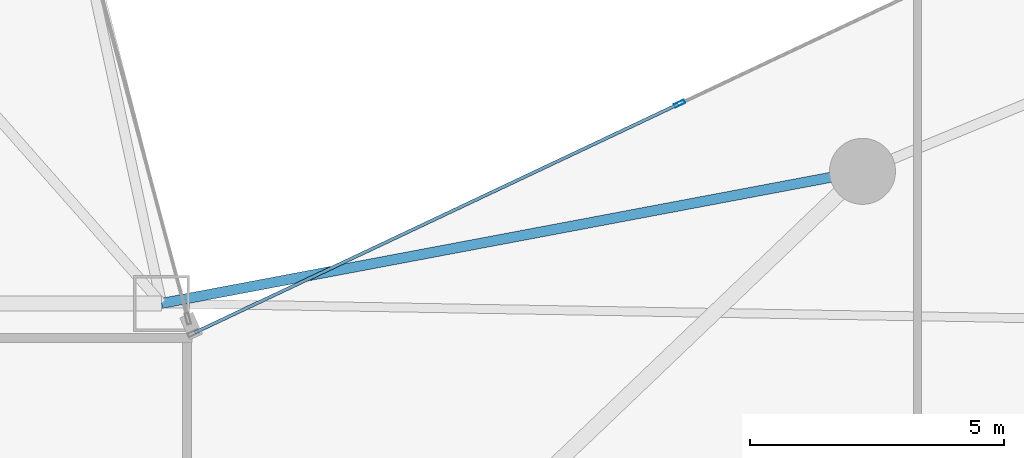
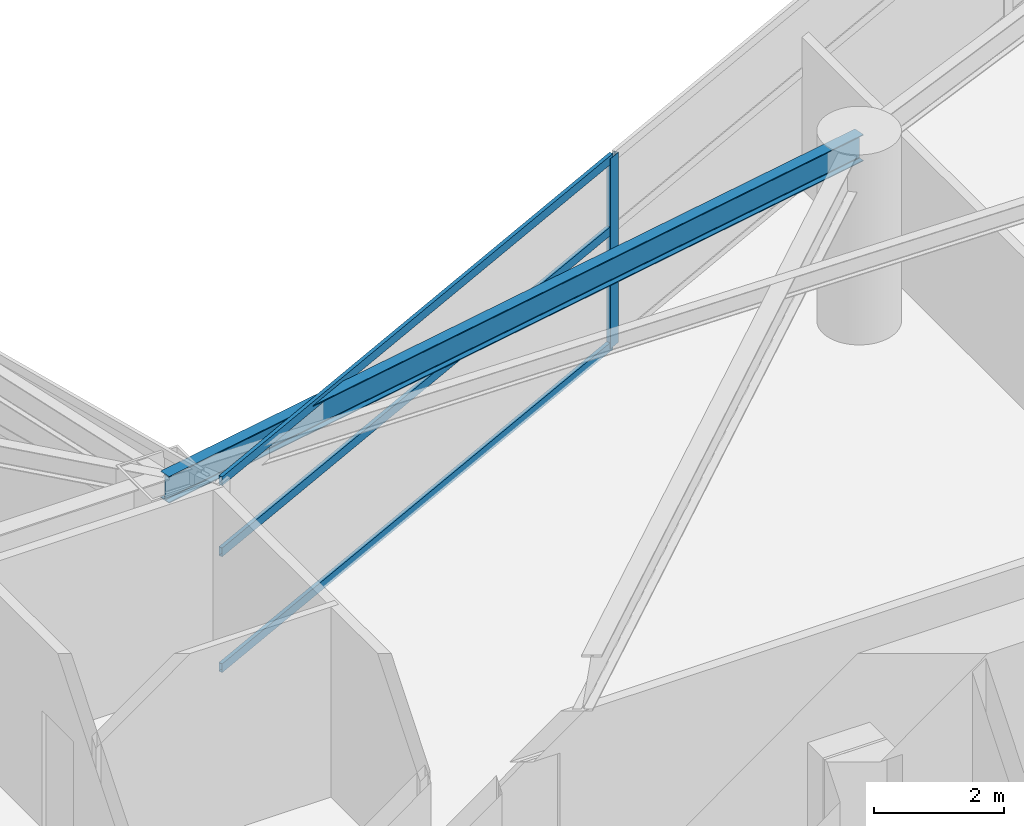
# One storey, part 11 of 30: 4 members, 1 beam, 1 element without a shape of its own.
"""IFC4 building model written with IfcOpenShell, lengths in metres."""

from ifc_helpers import new_model, si_unit, direction, frame, origin, origin_2d, place, context, subcontext, project, spatial, hollow_rectangle, i_section, extrude, material, layer, layer_set, material_profile, profile_set, type_object, element, aggregate, save


model = new_model("IFC4")

# Units and contexts
model_context = context("Model", 3, precision=1e-05, world=origin(), true_north=direction((0.0, 1.0)))
body_context = subcontext(model_context, "Body", "Model", "MODEL_VIEW")
ifc_project = project(units=[si_unit("LENGTHUNIT", "METRE"), si_unit("AREAUNIT", "SQUARE_METRE"), si_unit("VOLUMEUNIT", "CUBIC_METRE"), si_unit("PLANEANGLEUNIT", "RADIAN"), si_unit("MASSUNIT", "GRAM", prefix="KILO")], contexts=[model_context])

# Site, building, storey
site_placement = place(None, origin())
site = spatial("IfcSite", under=ifc_project, at=site_placement, CompositionType="ELEMENT")
building_placement = place(site_placement, origin())
building = spatial("IfcBuilding", under=site, at=building_placement, Name="Calvorn Quay Hotel", CompositionType="ELEMENT")
storey_placement = place(building_placement, frame((0.0, 0.0, 27.0)))
storey = spatial("IfcBuildingStorey", under=building, at=storey_placement, Name="L05", CompositionType="ELEMENT", Elevation=27.0)

# Beam
ifc_material_1 = material(Name="Steel Q355B", Category="steel")
ifc_material_profile_1 = material_profile(ifc_material_1, i_section(OverallWidth=0.199951171875, OverallDepth=0.5, WebThickness=0.010009765625, FlangeThickness=0.01611328125, FilletRadius=0.01611328125, at=origin_2d()), Name="HN500x200x10x16")
ifc_profile_set_1 = profile_set([ifc_material_profile_1], Name="Steel Q355B")
beam_type = type_object("IfcBeamType", Name="BM-SPANDREL-Z1", PredefinedType="SPANDREL", material=ifc_profile_set_1)
beam_placement = place(storey_placement, frame((34.800048828125, 27.60009765625, 3.2900390625), z_axis=(-0.982709432406, -0.185154452988, 0.0), x_axis=(0.185154452988, -0.982709432406, 0.0)))
element("IfcBeam", 1, at=beam_placement, inside=storey, type_object=beam_type, Name="Beam BSP-L05-E5", PredefinedType="SPANDREL", context=body_context, shape_type="SweptSolid", body=[
    extrude(i_section(OverallWidth=0.199951171875, OverallDepth=0.5, WebThickness=0.010009765625, FlangeThickness=0.01611328125, FilletRadius=0.01611328125, at=origin_2d()), origin(), (0.0, 0.0, 1.0), 14.04296875),
])

# Curtain wall, members
ifc_material_2 = material(Name="Pale Anodised Aluminium and Low-E Glass", Category="aluminium")
ifc_layer = layer(ifc_material_2, 0.219970703125)
ifc_layer_set = layer_set([ifc_layer], Name="CW-SYS-Z1")
curtain_wall_type = type_object("IfcCurtainWallType", Name="CW-SYS-Z1", PredefinedType="NOTDEFINED", material=ifc_layer_set)
curtain_wall_placement = place(storey_placement, origin())
curtain_wall = element("IfcCurtainWall", 2, at=curtain_wall_placement, inside=storey, type_object=curtain_wall_type, Name="Inner Court Curtain Wall L05-NE1", PredefinedType="NOTDEFINED")
ifc_material_3 = material(Name="Pale Anodised Aluminium 6063-T6", Category="aluminium")
ifc_material_profile_2 = material_profile(ifc_material_3, hollow_rectangle(XDim=0.074951171875, YDim=0.219970703125, WallThickness=0.00439453125, at=origin_2d()), Name="ALU-M220x75x4.5")
ifc_profile_set_2 = profile_set([ifc_material_profile_2], Name="Pale Anodised Aluminium 6063-T6")
member_type_1 = type_object("IfcMemberType", Name="CW-SYS-Z1-MUL", PredefinedType="MULLION", material=ifc_profile_set_2)
member_1_placement = place(storey_placement, frame((31.199951171875, 28.933349609375, 0.0), z_axis=(0.0, 0.0, 1.0), x_axis=(0.427006305415, -0.904248646743, 0.0)))
member_1 = element("IfcMember", 3, at=member_1_placement, type_object=member_type_1, Name="CW-L05-NE1 mullion 3", PredefinedType="MULLION", context=body_context, shape_type="SweptSolid", body=[
    extrude(hollow_rectangle(XDim=0.074951171875, YDim=0.219970703125, WallThickness=0.00439453125, at=origin_2d()), origin(), (0.0, 0.0, 1.0), 3.56005859375),
])
ifc_material_4 = material(Name="Pale Anodised Aluminium 6063-T6", Category="aluminium")
ifc_material_profile_3 = material_profile(ifc_material_4, hollow_rectangle(XDim=0.06494140625, YDim=0.1650390625, WallThickness=0.00341796875, at=origin_2d()), Name="ALU-T165x65x3.5")
ifc_profile_set_3 = profile_set([ifc_material_profile_3], Name="Pale Anodised Aluminium 6063-T6")
member_type_2 = type_object("IfcMemberType", Name="CW-SYS-Z1-TRN", PredefinedType="USERDEFINED", material=ifc_profile_set_3)
member_2_placement = place(storey_placement, frame((31.1728515625, 28.92041015625, 0.030029296875), z_axis=(-0.904248646746, -0.427006305408, 0.0), x_axis=(0.427006305408, -0.904248646746, 0.0)))
member_2 = element("IfcMember", 4, at=member_2_placement, type_object=member_type_2, Name="CW-L05-NE1 transom 3.1", ObjectType="TRANSOM", PredefinedType="USERDEFINED", context=body_context, shape_type="SweptSolid", body=[
    extrude(hollow_rectangle(XDim=0.06494140625, YDim=0.1650390625, WallThickness=0.00341796875, at=origin_2d()), origin(), (0.0, 0.0, 1.0), 10.5263671875),
])
member_3_placement = place(storey_placement, frame((31.1728515625, 28.92041015625, 2.199951171875), z_axis=(-0.904248646746, -0.427006305408, 0.0), x_axis=(0.427006305408, -0.904248646746, 0.0)))
member_3 = element("IfcMember", 5, at=member_3_placement, type_object=member_type_2, Name="CW-L05-NE1 transom 3.2", ObjectType="TRANSOM", PredefinedType="USERDEFINED", context=body_context, shape_type="SweptSolid", body=[
    extrude(hollow_rectangle(XDim=0.06494140625, YDim=0.1650390625, WallThickness=0.00341796875, at=origin_2d()), origin(), (0.0, 0.0, 1.0), 10.5263671875),
])
member_4_placement = place(storey_placement, frame((31.1728515625, 28.92041015625, 3.530029296875), z_axis=(-0.904248646746, -0.427006305408, 0.0), x_axis=(0.427006305408, -0.904248646746, 0.0)))
member_4 = element("IfcMember", 6, at=member_4_placement, type_object=member_type_2, Name="CW-L05-NE1 transom 3.3", ObjectType="TRANSOM", PredefinedType="USERDEFINED", context=body_context, shape_type="SweptSolid", body=[
    extrude(hollow_rectangle(XDim=0.06494140625, YDim=0.1650390625, WallThickness=0.00341796875, at=origin_2d()), origin(), (0.0, 0.0, 1.0), 10.5263671875),
])
aggregate(curtain_wall, [member_1, member_2, member_3, member_4])

save(model, "model.ifc")
